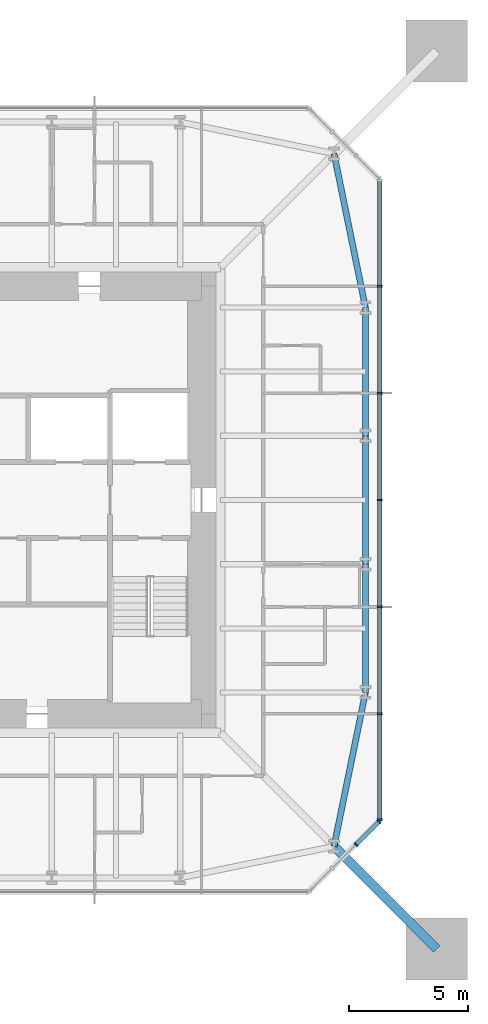
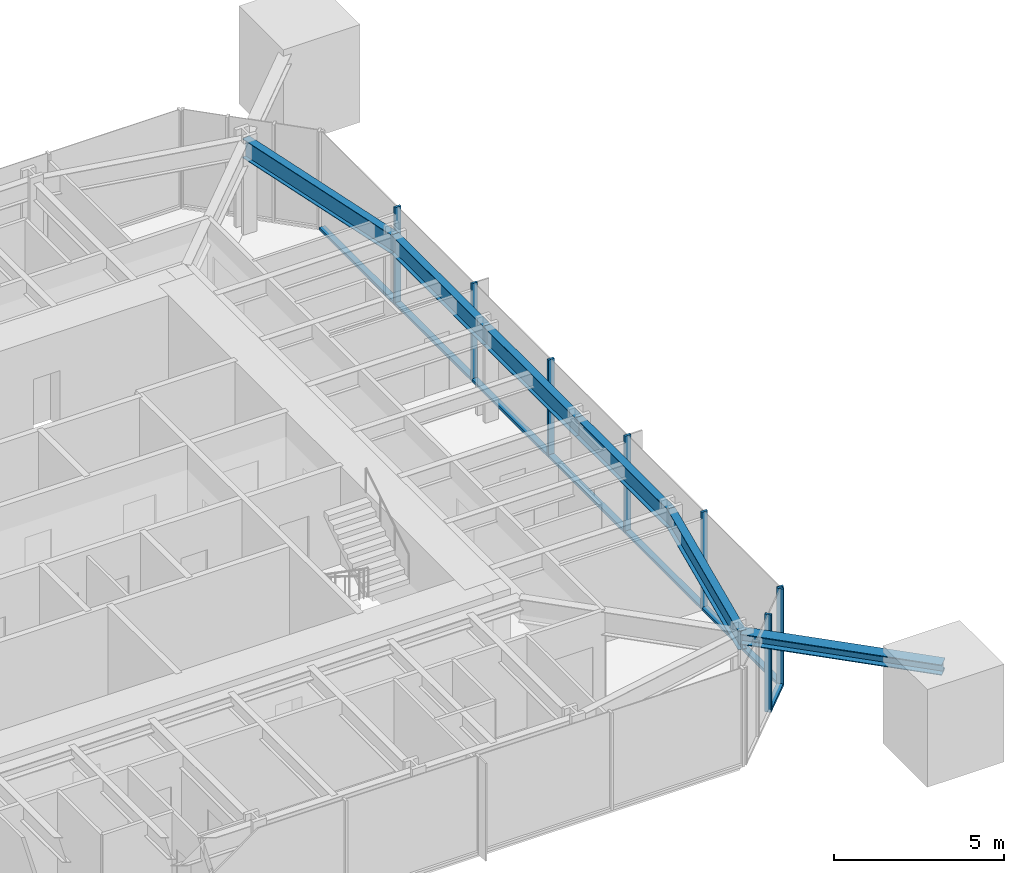
# One storey, part 3 of 9: 16 members, 5 beams, 2 elements without a shape of their own.
"""IFC4 building model written with IfcOpenShell, lengths in metres."""

import ifcopenshell
import ifcopenshell.guid

model = None  # the IFC model being written
_history = None  # IfcOwnerHistory: only IFC2X3 demands one
_inside = {}  # id of a spatial element -> (the spatial element, [elements in it])
_under = {}  # id of a project, library or spatial element -> (it, [spatial elements below it])
_declared = {}  # id of a project -> (the project, [libraries it declares])
_typed = {}  # id of a type object -> (the type object, [elements of that type])
_made_of = {}  # id of a material, layer set ... -> (it, [elements and type objects made of it])


def new_model(schema):
    """Start an empty IFC model of exactly this schema.

    Asked for "IFC4X3", IfcOpenShell would pick the latest addendum, in which some entities
    have other attributes; the version numbers below select the first issue.
    IFC2X3 requires an IfcOwnerHistory on every rooted entity: one is made here for all.
    """
    global model, _history
    if schema == "IFC4X3":
        model = ifcopenshell.file(schema_version=(4, 3, 0, 0))
    else:
        model = ifcopenshell.file(schema=schema)
    _inside.clear()
    _under.clear()
    _declared.clear()
    _typed.clear()
    _made_of.clear()
    _history = None
    if model.schema == "IFC2X3":
        org = make("IfcOrganization", Name="unknown")
        user = make(
            "IfcPersonAndOrganization",
            ThePerson=make("IfcPerson", FamilyName="unknown"),
            TheOrganization=org,
        )
        app = make(
            "IfcApplication",
            ApplicationDeveloper=org,
            Version="unknown",
            ApplicationFullName="unknown",
            ApplicationIdentifier="unknown",
        )
        _history = make(
            "IfcOwnerHistory",
            OwningUser=user,
            OwningApplication=app,
            ChangeAction="ADDED",
            CreationDate=0,
        )
    return model


def make(cls, **values):
    """One entity of the class cls with the attributes given. An attribute that is None is left unset."""
    return model.create_entity(
        cls, **{name: value for name, value in values.items() if value is not None}
    )


def rooted(cls, **values):
    """An entity with a GlobalId (a new one), such as an element, a storey or a relation."""
    return make(cls, GlobalId=ifcopenshell.guid.new(), OwnerHistory=_history, **values)


def si_unit(unit_type, name, prefix=None):
    """IfcSIUnit, for example si_unit("LENGTHUNIT", "METRE", prefix="MILLI")."""
    return make("IfcSIUnit", UnitType=unit_type, Prefix=prefix, Name=name)


def assignment(units):
    """IfcUnitAssignment: the units of a project."""
    return None if units is None else make("IfcUnitAssignment", Units=units)


def point(xyz):
    """IfcCartesianPoint."""
    return None if xyz is None else make("IfcCartesianPoint", Coordinates=xyz)


def direction(xyz):
    """IfcDirection."""
    return None if xyz is None else make("IfcDirection", DirectionRatios=xyz)


def frame(location, z_axis=None, x_axis=None):
    """IfcAxis2Placement3D, a coordinate frame: its origin and axes. An axis left out is left unset."""
    return make(
        "IfcAxis2Placement3D",
        Location=point(location),
        Axis=direction(z_axis),
        RefDirection=direction(x_axis),
    )


def frame_2d(location, x_axis=None):
    """IfcAxis2Placement2D, a coordinate frame in the plane: its origin and x axis."""
    return make(
        "IfcAxis2Placement2D", Location=point(location), RefDirection=direction(x_axis)
    )


def origin():
    """The frame at (0, 0, 0) with its axes left unset."""
    return frame((0.0, 0.0, 0.0))


def origin_2d():
    """The frame at (0, 0) in the plane with its x axis left unset."""
    return frame_2d((0.0, 0.0))


def place(relative_to, where):
    """IfcLocalPlacement: puts the frame where relative to a parent placement (None: the world)."""
    return make(
        "IfcLocalPlacement", PlacementRelTo=relative_to, RelativePlacement=where
    )


def context(
    kind, dimensions, precision=None, world=None, true_north=None, identifier=None
):
    """IfcGeometricRepresentationContext, for example the 3D "Model" context."""
    return make(
        "IfcGeometricRepresentationContext",
        ContextIdentifier=identifier,
        ContextType=kind,
        CoordinateSpaceDimension=dimensions,
        Precision=precision,
        WorldCoordinateSystem=world,
        TrueNorth=true_north,
    )


def subcontext(parent, identifier, kind, view, scale=None):
    """IfcGeometricRepresentationSubContext, for example "Body" below "Model"."""
    return make(
        "IfcGeometricRepresentationSubContext",
        ContextIdentifier=identifier,
        ContextType=kind,
        ParentContext=parent,
        TargetScale=scale,
        TargetView=view,
    )


def project(units=None, contexts=None):
    """IfcProject with its units and contexts."""
    return rooted(
        "IfcProject",
        Name="project",
        RepresentationContexts=contexts,
        UnitsInContext=assignment(units),
    )


def spatial(cls, under=None, at=None, **own):
    """A site, building, storey or space (cls), placed at a placement, below another one or the project."""
    s = rooted(cls, ObjectPlacement=at, **own)
    if under is not None:
        _under.setdefault(under.id(), (under, []))[1].append(s)
    return s


def profile(cls, at=None, kind="AREA", **sizes):
    """A parametric profile (cls). Its sizes go by their IFC names, for example OverallWidth=200.0."""
    return make(cls, ProfileType=kind, Position=at, **sizes)


def rectangle(**sizes):
    """IfcRectangleProfileDef."""
    return profile("IfcRectangleProfileDef", **sizes)


def i_section(**sizes):
    """IfcIShapeProfileDef."""
    return profile("IfcIShapeProfileDef", **sizes)


def extrude(swept, where, along, depth):
    """IfcExtrudedAreaSolid: the profile swept, set in the frame where, extruded along a direction by depth."""
    return make(
        "IfcExtrudedAreaSolid",
        SweptArea=swept,
        Position=where,
        ExtrudedDirection=direction(along),
        Depth=depth,
    )


def shape(context_of_items, identifier, shape_type, items):
    """IfcShapeRepresentation: the items that make up one representation, for example the "Body"."""
    return make(
        "IfcShapeRepresentation",
        ContextOfItems=context_of_items,
        RepresentationIdentifier=identifier,
        RepresentationType=shape_type,
        Items=items,
    )


def material(Name=None, Category=None):
    """IfcMaterial."""
    return make("IfcMaterial", Name=Name, Category=Category)


def material_profile(
    of_material, cross_section, Name=None, Category=None, Priority=None
):
    """IfcMaterialProfile: a cross section and its material."""
    return make(
        "IfcMaterialProfile",
        Name=Name,
        Material=of_material,
        Profile=cross_section,
        Priority=Priority,
        Category=Category,
    )


def profile_set(profiles, Name=None, composite=None):
    """IfcMaterialProfileSet."""
    return make(
        "IfcMaterialProfileSet",
        Name=Name,
        MaterialProfiles=profiles,
        CompositeProfile=composite,
    )


def made_of(thing, what):
    """Note that an element or type object is made of a material, layer set ...; save() writes the relation."""
    if what is not None:
        _made_of.setdefault(what.id(), (what, []))[1].append(thing)
    return thing


def type_object(cls, material=None, **own):
    """A type object (cls), such as IfcWallType, which elements share."""
    return made_of(rooted(cls, **own), material)


def element(
    cls,
    number,
    at=None,
    inside=None,
    cuts=None,
    type_object=None,
    material=None,
    context=None,
    identifier="Body",
    shape_type=None,
    held_by="IfcProductDefinitionShape",
    body=None,
    shapes=None,
    **own,
):
    """One element of the class cls, such as IfcWall. Its Tag is "e" and its number.

    at: its placement. inside: the storey or other place that contains it. cuts: it is an
    opening in that element (IfcRelVoidsElement). A single representation is given by context,
    identifier, shape_type and body (its items); several are given by shapes. held_by: the class
    of the entity that holds the representations. save() writes the other relations.
    """
    e = rooted(cls, Tag="e%d" % number, ObjectPlacement=at, **own)
    if body is not None:
        shapes = [shape(context, identifier, shape_type, body)]
    if shapes is not None:
        e.Representation = make(held_by, Representations=shapes)
    if inside is not None:
        _inside.setdefault(inside.id(), (inside, []))[1].append(e)
    if cuts is not None:
        rooted(
            "IfcRelVoidsElement", RelatingBuildingElement=cuts, RelatedOpeningElement=e
        )
    if type_object is not None:
        _typed.setdefault(type_object.id(), (type_object, []))[1].append(e)
    return made_of(e, material)


def aggregate(whole, parts):
    """IfcRelAggregates: a whole, such as a stair, and the parts it consists of."""
    return rooted("IfcRelAggregates", RelatingObject=whole, RelatedObjects=parts)


def save(model, path):
    """Write the relations noted so far, then the file.

    IfcRelAggregates (storeys below a building ...), IfcRelContainedInSpatialStructure (elements
    in a storey), IfcRelDefinesByType, IfcRelAssociatesMaterial and IfcRelDeclares: one each for
    every whole, place, type object, material and project.
    """
    for whole, parts in _under.values():
        aggregate(whole, parts)
    for where, things in _inside.values():
        rooted(
            "IfcRelContainedInSpatialStructure",
            RelatedElements=things,
            RelatingStructure=where,
        )
    for kind, things in _typed.values():
        rooted("IfcRelDefinesByType", RelatedObjects=things, RelatingType=kind)
    for what, things in _made_of.values():
        rooted("IfcRelAssociatesMaterial", RelatedObjects=things, RelatingMaterial=what)
    for by, libraries in _declared.values():
        rooted("IfcRelDeclares", RelatingContext=by, RelatedDefinitions=libraries)
    model.write(path)


model = new_model("IFC4")

# Units and contexts
model_context = context("Model", 3, precision=1e-05, world=origin(), true_north=direction((0.0, 1.0)))
body_context = subcontext(model_context, "Body", "Model", "MODEL_VIEW")
ifc_project = project(units=[si_unit("LENGTHUNIT", "METRE"), si_unit("AREAUNIT", "SQUARE_METRE"), si_unit("VOLUMEUNIT", "CUBIC_METRE"), si_unit("PLANEANGLEUNIT", "RADIAN"), si_unit("MASSUNIT", "GRAM", prefix="KILO")], contexts=[model_context])

# Site, building, storey
site_placement = place(None, origin())
site = spatial("IfcSite", under=ifc_project, at=site_placement, CompositionType="ELEMENT")
building_placement = place(site_placement, origin())
building = spatial("IfcBuilding", under=site, at=building_placement, Name="Iwan Alto Co-Living Towers", CompositionType="ELEMENT")
storey_placement = place(building_placement, frame((0.0, 0.0, 239.5)))
storey = spatial("IfcBuildingStorey", under=building, at=storey_placement, Name="L65", CompositionType="ELEMENT", Elevation=239.5)

# Curtain wall, members
ifc_material_1 = material(Name="Bronze aluminium unitised frame", Category="aluminium")
curtain_wall_type_1 = type_object("IfcCurtainWallType", Name="CURTAIN WALL CW-A", PredefinedType="NOTDEFINED", material=ifc_material_1)
curtain_wall_1_placement = place(storey_placement, origin())
curtain_wall_1 = element("IfcCurtainWall", 1, at=curtain_wall_1_placement, inside=storey, type_object=curtain_wall_type_1, Name="T1 curtain wall E L65", PredefinedType="NOTDEFINED")
ifc_material_2 = material(Name="Aluminium 6063-T6 bronze anodised", Category="aluminium")
ifc_material_profile_1 = material_profile(ifc_material_2, rectangle(XDim=0.199951171875, YDim=0.080078125, at=origin_2d()), Name="AL 80X200")
ifc_profile_set_1 = profile_set([ifc_material_profile_1], Name="Aluminium 6063-T6 bronze anodised")
member_type_1 = type_object("IfcMemberType", Name="CW-A MULLION 80X200", PredefinedType="MULLION", material=ifc_profile_set_1)
member_1_placement = place(storey_placement, frame((16.5, -13.4599609375, 0.0), z_axis=(0.0, 0.0, 1.0), x_axis=(-1.0, 0.0, 0.0)))
member_1 = element("IfcMember", 2, at=member_1_placement, type_object=member_type_1, Name="CW-A mullion 1", PredefinedType="MULLION", context=body_context, shape_type="SweptSolid", body=[
    extrude(rectangle(XDim=0.199951171875, YDim=0.080078125, at=origin_2d()), origin(), (0.0, 0.0, 1.0), 3.5),
])
member_2_placement = place(storey_placement, frame((16.5, -9.0, 0.0), z_axis=(0.0, 0.0, 1.0), x_axis=(-1.0, 0.0, 0.0)))
member_2 = element("IfcMember", 3, at=member_2_placement, type_object=member_type_1, Name="CW-A mullion 2", PredefinedType="MULLION", context=body_context, shape_type="SweptSolid", body=[
    extrude(rectangle(XDim=0.199951171875, YDim=0.080078125, at=origin_2d()), origin(), (0.0, 0.0, 1.0), 3.5),
])
member_3_placement = place(storey_placement, frame((16.5, -4.5, 0.0), z_axis=(0.0, 0.0, 1.0), x_axis=(-1.0, 0.0, 0.0)))
member_3 = element("IfcMember", 4, at=member_3_placement, type_object=member_type_1, Name="CW-A mullion 3", PredefinedType="MULLION", context=body_context, shape_type="SweptSolid", body=[
    extrude(rectangle(XDim=0.199951171875, YDim=0.080078125, at=origin_2d()), origin(), (0.0, 0.0, 1.0), 3.5),
])
member_4_placement = place(storey_placement, frame((16.5, 0.0, 0.0), z_axis=(0.0, 0.0, 1.0), x_axis=(-1.0, 0.0, 0.0)))
member_4 = element("IfcMember", 5, at=member_4_placement, type_object=member_type_1, Name="CW-A mullion 4", PredefinedType="MULLION", context=body_context, shape_type="SweptSolid", body=[
    extrude(rectangle(XDim=0.199951171875, YDim=0.080078125, at=origin_2d()), origin(), (0.0, 0.0, 1.0), 3.5),
])
member_5_placement = place(storey_placement, frame((16.5, 4.5, 0.0), z_axis=(0.0, 0.0, 1.0), x_axis=(-1.0, 0.0, 0.0)))
member_5 = element("IfcMember", 6, at=member_5_placement, type_object=member_type_1, Name="CW-A mullion 5", PredefinedType="MULLION", context=body_context, shape_type="SweptSolid", body=[
    extrude(rectangle(XDim=0.199951171875, YDim=0.080078125, at=origin_2d()), origin(), (0.0, 0.0, 1.0), 3.5),
])
member_6_placement = place(storey_placement, frame((16.5, 9.0, 0.0), z_axis=(0.0, 0.0, 1.0), x_axis=(-1.0, 0.0, 0.0)))
member_6 = element("IfcMember", 7, at=member_6_placement, type_object=member_type_1, Name="CW-A mullion 6", PredefinedType="MULLION", context=body_context, shape_type="SweptSolid", body=[
    extrude(rectangle(XDim=0.199951171875, YDim=0.080078125, at=origin_2d()), origin(), (0.0, 0.0, 1.0), 3.5),
])
ifc_material_3 = material(Name="Aluminium 6063-T6 bronze anodised", Category="aluminium")
ifc_material_profile_2 = material_profile(ifc_material_3, rectangle(XDim=0.199951171875, YDim=0.10009765625, at=origin_2d()), Name="AL 200X100")
ifc_profile_set_2 = profile_set([ifc_material_profile_2], Name="Aluminium 6063-T6 bronze anodised")
member_type_2 = type_object("IfcMemberType", Name="CW-A TRANSOM 200X100", PredefinedType="USERDEFINED", material=ifc_profile_set_2)
member_7_placement = place(storey_placement, frame((16.5, -13.419921875, 0.050048828125), z_axis=(0.0, 1.0, 0.0), x_axis=(-1.0, 0.0, 0.0)))
member_7 = element("IfcMember", 8, at=member_7_placement, type_object=member_type_2, Name="CW-A transom 1.1", ObjectType="TRANSOM", PredefinedType="USERDEFINED", context=body_context, shape_type="SweptSolid", body=[
    extrude(rectangle(XDim=0.199951171875, YDim=0.10009765625, at=origin_2d()), origin(), (0.0, 0.0, 1.0), 4.3798828125),
])
member_8_placement = place(storey_placement, frame((16.5, -8.9599609375, 0.050048828125), z_axis=(0.0, 1.0, 0.0), x_axis=(-1.0, 0.0, 0.0)))
member_8 = element("IfcMember", 9, at=member_8_placement, type_object=member_type_2, Name="CW-A transom 2.1", ObjectType="TRANSOM", PredefinedType="USERDEFINED", context=body_context, shape_type="SweptSolid", body=[
    extrude(rectangle(XDim=0.199951171875, YDim=0.10009765625, at=origin_2d()), origin(), (0.0, 0.0, 1.0), 4.419921875),
])
member_9_placement = place(storey_placement, frame((16.5, -4.4599609375, 0.050048828125), z_axis=(0.0, 1.0, 0.0), x_axis=(-1.0, 0.0, 0.0)))
member_9 = element("IfcMember", 10, at=member_9_placement, type_object=member_type_2, Name="CW-A transom 3.1", ObjectType="TRANSOM", PredefinedType="USERDEFINED", context=body_context, shape_type="SweptSolid", body=[
    extrude(rectangle(XDim=0.199951171875, YDim=0.10009765625, at=origin_2d()), origin(), (0.0, 0.0, 1.0), 4.419921875),
])
member_10_placement = place(storey_placement, frame((16.5, 0.0400390625, 0.050048828125), z_axis=(0.0, 1.0, 0.0), x_axis=(-1.0, 0.0, 0.0)))
member_10 = element("IfcMember", 11, at=member_10_placement, type_object=member_type_2, Name="CW-A transom 4.1", ObjectType="TRANSOM", PredefinedType="USERDEFINED", context=body_context, shape_type="SweptSolid", body=[
    extrude(rectangle(XDim=0.199951171875, YDim=0.10009765625, at=origin_2d()), origin(), (0.0, 0.0, 1.0), 4.419921875),
])
member_11_placement = place(storey_placement, frame((16.5, 4.5400390625, 0.050048828125), z_axis=(0.0, 1.0, 0.0), x_axis=(-1.0, 0.0, 0.0)))
member_11 = element("IfcMember", 12, at=member_11_placement, type_object=member_type_2, Name="CW-A transom 5.1", ObjectType="TRANSOM", PredefinedType="USERDEFINED", context=body_context, shape_type="SweptSolid", body=[
    extrude(rectangle(XDim=0.199951171875, YDim=0.10009765625, at=origin_2d()), origin(), (0.0, 0.0, 1.0), 4.419921875),
])
member_12_placement = place(storey_placement, frame((16.5, 9.0400390625, 0.050048828125), z_axis=(0.0, 1.0, 0.0), x_axis=(-1.0, 0.0, 0.0)))
member_12 = element("IfcMember", 13, at=member_12_placement, type_object=member_type_2, Name="CW-A transom 6.1", ObjectType="TRANSOM", PredefinedType="USERDEFINED", context=body_context, shape_type="SweptSolid", body=[
    extrude(rectangle(XDim=0.199951171875, YDim=0.10009765625, at=origin_2d()), origin(), (0.0, 0.0, 1.0), 4.3798828125),
])
aggregate(curtain_wall_1, [member_1, member_2, member_3, member_4, member_5, member_6, member_7, member_8, member_9, member_10, member_11, member_12])

ifc_material_4 = material(Name="Bronze aluminium unitised frame", Category="aluminium")
curtain_wall_type_2 = type_object("IfcCurtainWallType", Name="CURTAIN WALL CW-B", PredefinedType="NOTDEFINED", material=ifc_material_4)
curtain_wall_2_placement = place(storey_placement, origin())
curtain_wall_2 = element("IfcCurtainWall", 14, at=curtain_wall_2_placement, inside=storey, type_object=curtain_wall_type_2, Name="T1 chamfer curtain wall SE L65", PredefinedType="NOTDEFINED")
ifc_material_5 = material(Name="Aluminium 6063-T6 bronze anodised", Category="aluminium")
ifc_material_profile_3 = material_profile(ifc_material_5, rectangle(XDim=0.199951171875, YDim=0.080078125, at=origin_2d()), Name="AL 80X200")
ifc_profile_set_3 = profile_set([ifc_material_profile_3], Name="Aluminium 6063-T6 bronze anodised")
member_type_3 = type_object("IfcMemberType", Name="CW-B MULLION 80X200", PredefinedType="MULLION", material=ifc_profile_set_3)
member_13_placement = place(storey_placement, frame((15.5, -14.5, 0.0), z_axis=(0.0, 0.0, 1.0), x_axis=(-0.707106781187, 0.707106781187, 0.0)))
member_13 = element("IfcMember", 15, at=member_13_placement, type_object=member_type_3, Name="CW-B mullion 3", PredefinedType="MULLION", context=body_context, shape_type="SweptSolid", body=[
    extrude(rectangle(XDim=0.199951171875, YDim=0.080078125, at=origin_2d()), origin(), (0.0, 0.0, 1.0), 3.5),
])
member_14_placement = place(storey_placement, frame((16.4716796875, -13.5283203125, 0.0), z_axis=(0.0, 0.0, 1.0), x_axis=(-0.707106781187, 0.707106781187, 0.0)))
member_14 = element("IfcMember", 16, at=member_14_placement, type_object=member_type_3, Name="CW-B mullion 4", PredefinedType="MULLION", context=body_context, shape_type="SweptSolid", body=[
    extrude(rectangle(XDim=0.199951171875, YDim=0.080078125, at=origin_2d()), origin(), (0.0, 0.0, 1.0), 3.5),
])
ifc_material_6 = material(Name="Aluminium 6063-T6 bronze anodised", Category="aluminium")
ifc_material_profile_4 = material_profile(ifc_material_6, rectangle(XDim=0.199951171875, YDim=0.10009765625, at=origin_2d()), Name="AL 200X100")
ifc_profile_set_4 = profile_set([ifc_material_profile_4], Name="Aluminium 6063-T6 bronze anodised")
member_type_4 = type_object("IfcMemberType", Name="CW-B TRANSOM 200X100", PredefinedType="USERDEFINED", material=ifc_profile_set_4)
member_15_placement = place(storey_placement, frame((15.5283203125, -14.4716796875, 0.050048828125), z_axis=(0.707106781187, 0.707106781187, 0.0), x_axis=(-0.707106781187, 0.707106781187, 0.0)))
member_15 = element("IfcMember", 17, at=member_15_placement, type_object=member_type_4, Name="CW-B transom 3.1", ObjectType="TRANSOM", PredefinedType="USERDEFINED", context=body_context, shape_type="SweptSolid", body=[
    extrude(rectangle(XDim=0.199951171875, YDim=0.10009765625, at=origin_2d()), origin(), (0.0, 0.0, 1.0), 1.2939453125),
])
aggregate(curtain_wall_2, [member_13, member_14, member_15])

# Beams
ifc_material_7 = material(Name="Steel ASTM A992 Gr 50", Category="steel")
ifc_material_profile_5 = material_profile(ifc_material_7, i_section(OverallWidth=0.25390625, OverallDepth=0.683349609375, WebThickness=0.012451171875, FlangeThickness=0.018798828125, at=origin_2d()), Name="W27X94")
ifc_profile_set_5 = profile_set([ifc_material_profile_5], Name="Steel ASTM A992 Gr 50")
beam_type = type_object("IfcBeamType", Name="T1 EDGE BEAM W27X94", PredefinedType="BEAM", material=ifc_profile_set_5)
beam_1_placement = place(storey_placement, frame((14.57568359375, -14.57568359375, 2.928466796875), z_axis=(0.200347889618, 0.979724820103, 0.0), x_axis=(-0.979724820103, 0.200347889618, 0.0)))
element("IfcBeam", 18, at=beam_1_placement, inside=storey, type_object=beam_type, Name="T1 edge beam CSE L66", PredefinedType="BEAM", context=body_context, shape_type="SweptSolid", body=[
    extrude(i_section(OverallWidth=0.25390625, OverallDepth=0.683349609375, WebThickness=0.012451171875, FlangeThickness=0.018798828125, at=origin_2d()), origin(), (0.0, 0.0, 1.0), 6.609619140625),
])
beam_2_placement = place(storey_placement, frame((15.89990234375, -8.10009765625, 2.928466796875), z_axis=(0.0, 1.0, 0.0), x_axis=(-1.0, 0.0, 0.0)))
element("IfcBeam", 19, at=beam_2_placement, inside=storey, type_object=beam_type, Name="T1 edge beam E1 L66", PredefinedType="BEAM", context=body_context, shape_type="SweptSolid", body=[
    extrude(i_section(OverallWidth=0.25390625, OverallDepth=0.683349609375, WebThickness=0.012451171875, FlangeThickness=0.018798828125, at=origin_2d()), origin(), (0.0, 0.0, 1.0), 5.400146484375),
])
beam_3_placement = place(storey_placement, frame((15.89990234375, -2.699951171875, 2.928466796875), z_axis=(0.0, 1.0, 0.0), x_axis=(-1.0, 0.0, 0.0)))
element("IfcBeam", 20, at=beam_3_placement, inside=storey, type_object=beam_type, Name="T1 edge beam E2 L66", PredefinedType="BEAM", context=body_context, shape_type="SweptSolid", body=[
    extrude(i_section(OverallWidth=0.25390625, OverallDepth=0.683349609375, WebThickness=0.012451171875, FlangeThickness=0.018798828125, at=origin_2d()), origin(), (0.0, 0.0, 1.0), 5.39990234375),
])
beam_4_placement = place(storey_placement, frame((15.89990234375, 2.699951171875, 2.928466796875), z_axis=(0.0, 1.0, 0.0), x_axis=(-1.0, 0.0, 0.0)))
element("IfcBeam", 21, at=beam_4_placement, inside=storey, type_object=beam_type, Name="T1 edge beam E3 L66", PredefinedType="BEAM", context=body_context, shape_type="SweptSolid", body=[
    extrude(i_section(OverallWidth=0.25390625, OverallDepth=0.683349609375, WebThickness=0.012451171875, FlangeThickness=0.018798828125, at=origin_2d()), origin(), (0.0, 0.0, 1.0), 5.400146484375),
])
beam_5_placement = place(storey_placement, frame((15.89990234375, 8.10009765625, 2.928466796875), z_axis=(-0.200347889618, 0.979724820103, 0.0), x_axis=(-0.979724820103, -0.200347889618, 0.0)))
element("IfcBeam", 22, at=beam_5_placement, inside=storey, type_object=beam_type, Name="T1 edge beam E4 L66", PredefinedType="BEAM", context=body_context, shape_type="SweptSolid", body=[
    extrude(i_section(OverallWidth=0.25390625, OverallDepth=0.683349609375, WebThickness=0.012451171875, FlangeThickness=0.018798828125, at=origin_2d()), origin(), (0.0, 0.0, 1.0), 6.609619140625),
])

# Member
ifc_material_8 = material(Name="Steel ASTM A992 Gr 50", Category="steel")
ifc_material_profile_6 = material_profile(ifc_material_8, i_section(OverallWidth=0.393798828125, OverallDepth=0.3759765625, WebThickness=0.017333984375, FlangeThickness=0.027587890625, at=origin_2d()), Name="W14X145")
ifc_profile_set_6 = profile_set([ifc_material_profile_6], Name="Steel ASTM A992 Gr 50")
member_type_5 = type_object("IfcMemberType", Name="T1 MEGA COLUMN FLOOR TIE W14X145", PredefinedType="STRUT", material=ifc_profile_set_6)
member_16_placement = place(storey_placement, frame((18.89990234375, -18.89990234375, 3.08203125), z_axis=(-0.707106781187, 0.707106781187, 0.0), x_axis=(-0.707106781187, -0.707106781187, 0.0)))
element("IfcMember", 23, at=member_16_placement, inside=storey, type_object=member_type_5, Name="T1 mega column floor tie SE L66", PredefinedType="STRUT", context=body_context, shape_type="SweptSolid", body=[
    extrude(i_section(OverallWidth=0.393798828125, OverallDepth=0.3759765625, WebThickness=0.017333984375, FlangeThickness=0.027587890625, at=origin_2d()), origin(), (0.0, 0.0, 1.0), 6.115478515625),
])

save(model, "model.ifc")
